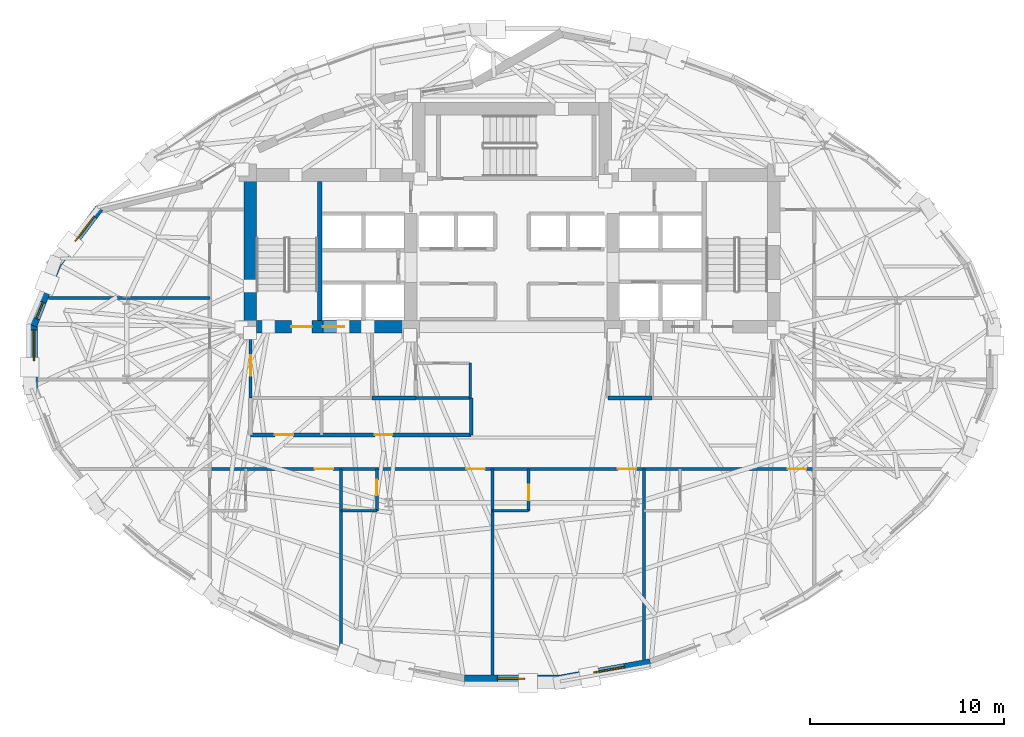
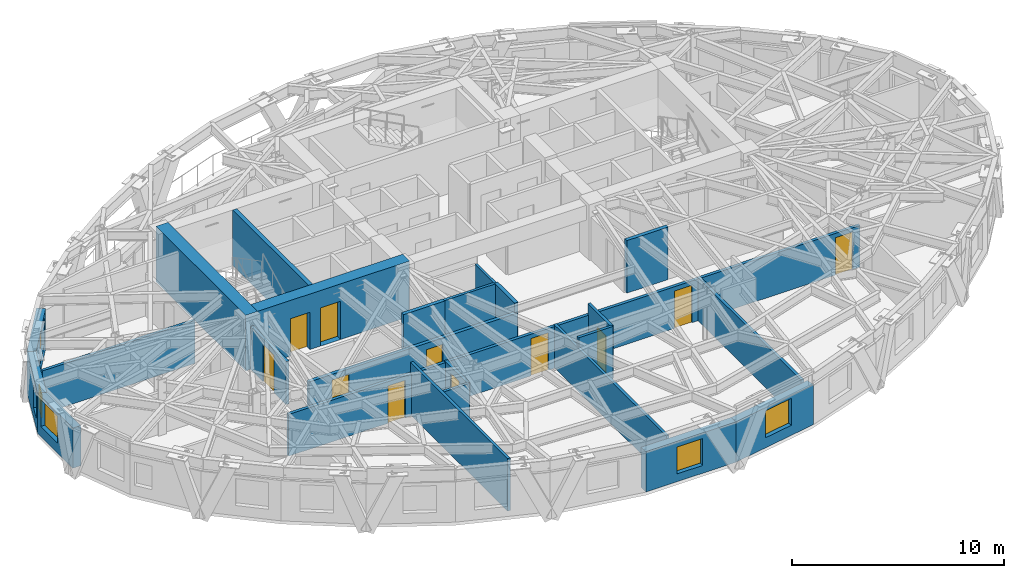
# One storey, part 7 of 14: 24 walls, 11 doors, 5 windows, 16 openings.
"""IFC4 building model written with IfcOpenShell, lengths in metres."""

from ifc_helpers import new_model, si_unit, direction, frame, frame_2d, origin, place, context, subcontext, project, spatial, rectangle, extrude, material, layer, layer_set, type_object, element, fill, save


model = new_model("IFC4")

# Units and contexts
model_context = context("Model", 3, precision=1e-05, world=origin(), true_north=direction((0.0, 1.0)))
body_context = subcontext(model_context, "Body", "Model", "MODEL_VIEW")
ifc_project = project(units=[si_unit("LENGTHUNIT", "METRE"), si_unit("AREAUNIT", "SQUARE_METRE"), si_unit("VOLUMEUNIT", "CUBIC_METRE"), si_unit("PLANEANGLEUNIT", "RADIAN"), si_unit("MASSUNIT", "GRAM", prefix="KILO")], contexts=[model_context])

# Site, building, storey
site_placement = place(None, origin())
site = spatial("IfcSite", under=ifc_project, at=site_placement, CompositionType="ELEMENT")
building_placement = place(site_placement, origin())
building = spatial("IfcBuilding", under=site, at=building_placement, Name="Keldmark Tower", CompositionType="ELEMENT")
storey_placement = place(building_placement, frame((0.0, 0.0, 175.800048828125)))
storey = spatial("IfcBuildingStorey", under=building, at=storey_placement, Name="L48", CompositionType="ELEMENT", Elevation=175.800048828125)

# Wall, openings, doors
ifc_material_1 = material(Name="Heavy Acoustic Plumbing Chase Gypsum Assembly", Category="gypsum")
ifc_layer_1 = layer(ifc_material_1, 0.18994140625)
ifc_layer_set_1 = layer_set([ifc_layer_1], Name="Heavy Acoustic Plumbing Chase Gypsum Assembly")
wall_type_1 = type_object("IfcWallType", Name="Heavy Wet Wall 190 mm", PredefinedType="PLUMBINGWALL", material=ifc_layer_set_1)
wall_1_placement = place(storey_placement, frame((-13.449951171875, -4.050048828125, 0.0), z_axis=(0.0, 0.0, 1.0), x_axis=(1.0, 0.0, 0.0)))
wall_1 = element("IfcWall", 1, at=wall_1_placement, inside=storey, type_object=wall_type_1, Name="L48 Heavy Wet Wall 190 mm SPK-W-S", PredefinedType="PLUMBINGWALL", context=body_context, shape_type="SweptSolid", body=[
    extrude(rectangle(XDim=11.349853515625, YDim=0.18994140625, at=frame_2d((5.6748046875, 0.0))), origin(), (0.0, 0.0, 1.0), 2.472900390625),
])
opening_1_placement = place(wall_1_placement, frame((1.25, 0.0, 0.0)))
opening_1 = element("IfcOpeningElement", 2, at=opening_1_placement, cuts=wall_1, Name="Opening D-AWC95", PredefinedType="OPENING", context=body_context, shape_type="SweptSolid", body=[
    extrude(rectangle(XDim=0.949951171875, YDim=2.14990234375, at=frame_2d((0.47509765625, 1.074951171875))), frame((0.0, 0.10498046875, 0.0), z_axis=(0.0, -1.0, 0.0), x_axis=(1.0, 0.0, 0.0)), (0.0, 0.0, 1.0), 0.2099609375),
])
opening_2_placement = place(wall_1_placement, frame((6.39990234375, 0.0, 0.0)))
opening_2 = element("IfcOpeningElement", 3, at=opening_2_placement, cuts=wall_1, Name="Opening D-IN090", PredefinedType="OPENING", context=body_context, shape_type="SweptSolid", body=[
    extrude(rectangle(XDim=0.89990234375, YDim=2.10009765625, at=frame_2d((0.449951171875, 1.050048828125))), frame((0.0, 0.10498046875, 0.0), z_axis=(0.0, -1.0, 0.0), x_axis=(1.0, 0.0, 0.0)), (0.0, 0.0, 1.0), 0.2099609375),
])
ifc_material_2 = material(Name="Painted Solid-Core Architectural Wood", Category="wood")
door_type_1 = type_object("IfcDoorType", Name="Accessible WC Door 950x2150", OperationType="NOTDEFINED", PredefinedType="DOOR", material=ifc_material_2)
door_1_placement = place(opening_1_placement, origin())
door_1 = element("IfcDoor", 4, at=door_1_placement, inside=storey, type_object=door_type_1, Name="L48 Accessible WC Door 950x2150 D-SPKW1-L48", OperationType="SINGLE_SWING_RIGHT", OverallHeight=2.14990234375, OverallWidth=0.949951171875, PredefinedType="DOOR", context=body_context, shape_type="SweptSolid", body=[
    extrude(rectangle(XDim=0.949951171875, YDim=2.14990234375, at=frame_2d((0.47509765625, 1.074951171875))), frame((0.0, 0.02490234375, 0.0), z_axis=(0.0, -1.0, 0.0), x_axis=(1.0, 0.0, 0.0)), (0.0, 0.0, 1.0), 0.050048828125),
])
fill(opening_1, door_1)
ifc_material_3 = material(Name="Stained American White Oak Veneer", Category="wood")
door_type_2 = type_object("IfcDoorType", Name="Interior Door 900x2100", OperationType="NOTDEFINED", PredefinedType="DOOR", material=ifc_material_3)
door_2_placement = place(opening_2_placement, origin())
door_2 = element("IfcDoor", 5, at=door_2_placement, inside=storey, type_object=door_type_2, Name="L48 Interior Door 900x2100 D-SPKW2-L48", OperationType="SINGLE_SWING_RIGHT", OverallHeight=2.10009765625, OverallWidth=0.89990234375, PredefinedType="DOOR", context=body_context, shape_type="SweptSolid", body=[
    extrude(rectangle(XDim=0.89990234375, YDim=2.10009765625, at=frame_2d((0.449951171875, 1.050048828125))), frame((0.0, 0.02490234375, 0.0), z_axis=(0.0, -1.0, 0.0), x_axis=(1.0, 0.0, 0.0)), (0.0, 0.0, 1.0), 0.050048828125),
])
fill(opening_2, door_2)

# Walls
wall_2_placement = place(storey_placement, frame((-2.10009765625, -4.050048828125, 0.0), z_axis=(0.0, 0.0, 1.0), x_axis=(0.0, 1.0, 0.0)))
element("IfcWall", 6, at=wall_2_placement, inside=storey, type_object=wall_type_1, Name="L48 Heavy Wet Wall 190 mm SPK-W-E", PredefinedType="PLUMBINGWALL", context=body_context, shape_type="SweptSolid", body=[
    extrude(rectangle(XDim=1.900146484375, YDim=0.18994140625, at=frame_2d((0.9501953125, 0.0))), origin(), (0.0, 0.0, 1.0), 3.02001953125),
])
ifc_material_4 = material(Name="Acoustic Gypsum Board Interior Partition", Category="gypsum")
ifc_layer_2 = layer(ifc_material_4, 0.1298828125)
ifc_layer_set_2 = layer_set([ifc_layer_2], Name="Acoustic Gypsum Board Interior Partition")
wall_type_2 = type_object("IfcWallType", Name="Interior Partition 130 mm", PredefinedType="PARTITIONING", material=ifc_layer_set_2)
wall_3_placement = place(storey_placement, frame((-2.14990234375, -2.14990234375, 0.0), z_axis=(0.0, 0.0, 1.0), x_axis=(0.0, 1.0, 0.0)))
element("IfcWall", 7, at=wall_3_placement, inside=storey, type_object=wall_type_2, Name="L48 Interior Partition 130 mm CSC-W-E", PredefinedType="PARTITIONING", context=body_context, shape_type="SweptSolid", body=[
    extrude(rectangle(XDim=1.7998046875, YDim=0.1298828125, at=frame_2d((0.89990234375, 0.0))), origin(), (0.0, 0.0, 1.0), 3.02001953125),
])

# Wall, opening, door
ifc_material_5 = material(Name="Type X Fire-Rated Gypsum Partition Assembly", Category="gypsum")
ifc_layer_3 = layer(ifc_material_5, 0.1650390625)
ifc_layer_set_3 = layer_set([ifc_layer_3], Name="Type X Fire-Rated Gypsum Partition Assembly")
wall_type_3 = type_object("IfcWallType", Name="Rated Partition 165 mm", PredefinedType="PARTITIONING", material=ifc_layer_set_3)
wall_4_placement = place(storey_placement, frame((-13.449951171875, -2.14990234375, 0.0), z_axis=(0.0, 0.0, 1.0), x_axis=(0.0, 1.0, 0.0)))
wall_4 = element("IfcWall", 8, at=wall_4_placement, inside=storey, type_object=wall_type_3, Name="L48 Rated Partition 165 mm FSAE-W-W", PredefinedType="PARTITIONING", context=body_context, shape_type="SweptSolid", body=[
    extrude(rectangle(XDim=3.39990234375, YDim=0.1650390625, at=frame_2d((1.699951171875, 0.0))), origin(), (0.0, 0.0, 1.0), 2.472900390625),
])
opening_3_placement = place(wall_4_placement, frame((1.14990234375, 0.0, 0.0)))
opening_3 = element("IfcOpeningElement", 9, at=opening_3_placement, cuts=wall_4, Name="Opening D-FL105", PredefinedType="OPENING", context=body_context, shape_type="SweptSolid", body=[
    extrude(rectangle(XDim=1.050048828125, YDim=2.14990234375, at=frame_2d((0.52490234375, 1.074951171875))), frame((0.0, 0.092529296875, 0.0), z_axis=(0.0, -1.0, 0.0), x_axis=(1.0, 0.0, 0.0)), (0.0, 0.0, 1.0), 0.18505859375),
])
ifc_material_6 = material(Name="Fire-Rated Mineral-Core Door and Vision Lite", Category="metal")
door_type_3 = type_object("IfcDoorType", Name="Fire Lobby Door 1050x2150", OperationType="NOTDEFINED", PredefinedType="DOOR", material=ifc_material_6)
door_3_placement = place(opening_3_placement, origin())
door_3 = element("IfcDoor", 10, at=door_3_placement, inside=storey, type_object=door_type_3, Name="L48 Fire Lobby Door 1050x2150 D-FSAEW-OUT-L48", OperationType="SINGLE_SWING_LEFT", OverallHeight=2.14990234375, OverallWidth=1.050048828125, PredefinedType="DOOR", context=body_context, shape_type="SweptSolid", body=[
    extrude(rectangle(XDim=1.050048828125, YDim=2.14990234375, at=frame_2d((0.52490234375, 1.074951171875))), frame((0.0, 0.02490234375, 0.0), z_axis=(0.0, -1.0, 0.0), x_axis=(1.0, 0.0, 0.0)), (0.0, 0.0, 1.0), 0.050048828125),
])
fill(opening_3, door_3)

# Wall, openings, doors
wall_5_placement = place(storey_placement, frame((-15.550048828125, -5.800048828125, 0.0), z_axis=(0.0, 0.0, 1.0), x_axis=(1.0, 0.0, 0.0)))
wall_5 = element("IfcWall", 11, at=wall_5_placement, inside=storey, type_object=wall_type_3, Name="L48 Rated Partition 165 mm HCOR-S", PredefinedType="PARTITIONING", context=body_context, shape_type="SweptSolid", body=[
    extrude(rectangle(XDim=31.10009765625, YDim=0.1650390625, at=frame_2d((15.550048828125, 0.0))), origin(), (0.0, 0.0, 1.0), 2.39794921875),
])
opening_4_placement = place(wall_5_placement, frame((5.39990234375, 0.0, 0.0)))
opening_4 = element("IfcOpeningElement", 12, at=opening_4_placement, cuts=wall_5, Name="Opening D-HT095", PredefinedType="OPENING", context=body_context, shape_type="SweptSolid", body=[
    extrude(rectangle(XDim=0.949951171875, YDim=2.14990234375, at=frame_2d((0.47509765625, 1.074951171875))), frame((0.0, 0.092529296875, 0.0), z_axis=(0.0, -1.0, 0.0), x_axis=(1.0, 0.0, 0.0)), (0.0, 0.0, 1.0), 0.18505859375),
])
opening_5_placement = place(wall_5_placement, frame((13.199951171875, 0.0, 0.0)))
opening_5 = element("IfcOpeningElement", 13, at=opening_5_placement, cuts=wall_5, Name="Opening D-HT095", PredefinedType="OPENING", context=body_context, shape_type="SweptSolid", body=[
    extrude(rectangle(XDim=0.949951171875, YDim=2.14990234375, at=frame_2d((0.47509765625, 1.074951171875))), frame((0.0, 0.092529296875, 0.0), z_axis=(0.0, -1.0, 0.0), x_axis=(1.0, 0.0, 0.0)), (0.0, 0.0, 1.0), 0.18505859375),
])
opening_6_placement = place(wall_5_placement, frame((21.0, 0.0, 0.0)))
opening_6 = element("IfcOpeningElement", 14, at=opening_6_placement, cuts=wall_5, Name="Opening D-HT095", PredefinedType="OPENING", context=body_context, shape_type="SweptSolid", body=[
    extrude(rectangle(XDim=0.949951171875, YDim=2.14990234375, at=frame_2d((0.47509765625, 1.074951171875))), frame((0.0, 0.092529296875, 0.0), z_axis=(0.0, -1.0, 0.0), x_axis=(1.0, 0.0, 0.0)), (0.0, 0.0, 1.0), 0.18505859375),
])
opening_7_placement = place(wall_5_placement, frame((29.75, 0.0, 0.0)))
opening_7 = element("IfcOpeningElement", 15, at=opening_7_placement, cuts=wall_5, Name="Opening D-HT095", PredefinedType="OPENING", context=body_context, shape_type="SweptSolid", body=[
    extrude(rectangle(XDim=0.949951171875, YDim=2.14990234375, at=frame_2d((0.47509765625, 1.074951171875))), frame((0.0, 0.092529296875, 0.0), z_axis=(0.0, -1.0, 0.0), x_axis=(1.0, 0.0, 0.0)), (0.0, 0.0, 1.0), 0.18505859375),
])
ifc_material_7 = material(Name="Solid-Core Acoustic White Oak Fire-Rated Assembly", Category="wood")
door_type_4 = type_object("IfcDoorType", Name="Hotel Entry Door 950x2150", OperationType="NOTDEFINED", PredefinedType="DOOR", material=ifc_material_7)
door_4_placement = place(opening_4_placement, origin())
door_4 = element("IfcDoor", 16, at=door_4_placement, inside=storey, type_object=door_type_4, Name="L48 Hotel Entry Door 950x2150 D-HRS1-L48", OperationType="SINGLE_SWING_RIGHT", OverallHeight=2.14990234375, OverallWidth=0.949951171875, PredefinedType="DOOR", context=body_context, shape_type="SweptSolid", body=[
    extrude(rectangle(XDim=0.949951171875, YDim=2.14990234375, at=frame_2d((0.47509765625, 1.074951171875))), frame((0.0, 0.02490234375, 0.0), z_axis=(0.0, -1.0, 0.0), x_axis=(1.0, 0.0, 0.0)), (0.0, 0.0, 1.0), 0.050048828125),
])
fill(opening_4, door_4)
door_5_placement = place(opening_5_placement, origin())
door_5 = element("IfcDoor", 17, at=door_5_placement, inside=storey, type_object=door_type_4, Name="L48 Hotel Entry Door 950x2150 D-HRS2-L48", OperationType="SINGLE_SWING_LEFT", OverallHeight=2.14990234375, OverallWidth=0.949951171875, PredefinedType="DOOR", context=body_context, shape_type="SweptSolid", body=[
    extrude(rectangle(XDim=0.949951171875, YDim=2.14990234375, at=frame_2d((0.47509765625, 1.074951171875))), frame((0.0, 0.02490234375, 0.0), z_axis=(0.0, -1.0, 0.0), x_axis=(1.0, 0.0, 0.0)), (0.0, 0.0, 1.0), 0.050048828125),
])
fill(opening_5, door_5)
door_6_placement = place(opening_6_placement, origin())
door_6 = element("IfcDoor", 18, at=door_6_placement, inside=storey, type_object=door_type_4, Name="L48 Hotel Entry Door 950x2150 D-HRS3-L48", OperationType="SINGLE_SWING_RIGHT", OverallHeight=2.14990234375, OverallWidth=0.949951171875, PredefinedType="DOOR", context=body_context, shape_type="SweptSolid", body=[
    extrude(rectangle(XDim=0.949951171875, YDim=2.14990234375, at=frame_2d((0.47509765625, 1.074951171875))), frame((0.0, 0.02490234375, 0.0), z_axis=(0.0, -1.0, 0.0), x_axis=(1.0, 0.0, 0.0)), (0.0, 0.0, 1.0), 0.050048828125),
])
fill(opening_6, door_6)
door_7_placement = place(opening_7_placement, origin())
door_7 = element("IfcDoor", 19, at=door_7_placement, inside=storey, type_object=door_type_4, Name="L48 Hotel Entry Door 950x2150 D-HRS4-L48", OperationType="SINGLE_SWING_LEFT", OverallHeight=2.14990234375, OverallWidth=0.949951171875, PredefinedType="DOOR", context=body_context, shape_type="SweptSolid", body=[
    extrude(rectangle(XDim=0.949951171875, YDim=2.14990234375, at=frame_2d((0.47509765625, 1.074951171875))), frame((0.0, 0.02490234375, 0.0), z_axis=(0.0, -1.0, 0.0), x_axis=(1.0, 0.0, 0.0)), (0.0, 0.0, 1.0), 0.050048828125),
])
fill(opening_7, door_7)

# Walls
ifc_material_8 = material(Name="Fire-Resistant Type X Gypsum Shaftliner Coreboard", Category="gypsum")
ifc_layer_4 = layer(ifc_material_8, 0.199951171875)
ifc_layer_set_4 = layer_set([ifc_layer_4], Name="Fire-Resistant Type X Gypsum Shaftliner Coreboard")
wall_type_4 = type_object("IfcWallType", Name="Shaft Wall 200 mm", PredefinedType="SOLIDWALL", material=ifc_layer_set_4)
for number, where, z_axis, x_axis, name in (
    (20, (-7.199951171875, -2.14990234375, 0.0), (0.0, 0.0, 1.0), (1.0, 0.0, 0.0), "L48 Shaft Wall 200 mm RIS-SW-S"),
    (21, (4.949951171875, -2.14990234375, 0.0), (0.0, 0.0, 1.0), (1.0, 0.0, 0.0), "L48 Shaft Wall 200 mm RIS-SE-S"),
):
    element("IfcWall", number, at=place(storey_placement, frame(where, z_axis=z_axis, x_axis=x_axis)), inside=storey, type_object=wall_type_4, Name=name, PredefinedType="SOLIDWALL", context=body_context, shape_type="SweptSolid", body=[
        extrude(rectangle(XDim=2.25, YDim=0.199951171875, at=frame_2d((1.125, 0.0))), origin(), (0.0, 0.0, 1.0), 3.02001953125),
    ])
ifc_material_9 = material(Name="Concrete C50/60", Category="concrete")
ifc_layer_5 = layer(ifc_material_9, 0.219970703125)
ifc_layer_set_5 = layer_set([ifc_layer_5], Name="Concrete C50/60")
wall_type_5 = type_object("IfcWallType", Name="Stair Core Shear Wall 220 mm", PredefinedType="SHEAR", material=ifc_layer_set_5)
wall_6_placement = place(storey_placement, frame((-9.889892578125, 1.85009765625, 0.0), z_axis=(0.0, 0.0, 1.0), x_axis=(0.0, 1.0, 0.0)))
element("IfcWall", 22, at=wall_6_placement, inside=storey, type_object=wall_type_5, Name="L48 West Stair Core Shear Wall", PredefinedType="SHEAR", context=body_context, shape_type="SweptSolid", body=[
    extrude(rectangle(XDim=7.14990234375, YDim=0.219970703125, at=frame_2d((3.574951171875, 0.0))), origin(), (0.0, 0.0, 1.0), 3.199951171875),
])

# Wall, opening, window
ifc_material_10 = material(Name="Ironspot Manganese Brick and Kasota Buff Limestone Spandrel Assembly", Category="masonry")
ifc_layer_6 = layer(ifc_material_10, 0.43994140625)
ifc_layer_set_6 = layer_set([ifc_layer_6], Name="Ironspot Manganese Brick and Kasota Buff Limestone Spandrel Assembly")
wall_type_6 = type_object("IfcWallType", Name="Tower Brick Pier and Spandrel Wall 440 mm", PredefinedType="STANDARD", material=ifc_layer_set_6)
wall_7_placement = place(storey_placement, frame((-23.426513671875, 4.720458984375, 0.0), z_axis=(0.0, 0.0, 1.0), x_axis=(0.604517065871, 0.796592189939, 0.0)))
wall_7 = element("IfcWall", 23, at=wall_7_placement, inside=storey, type_object=wall_type_6, Name="L48 Exterior Brick and Spandrel Wall 14", PredefinedType="STANDARD", context=body_context, shape_type="SweptSolid", body=[
    extrude(rectangle(XDim=3.6416015625, YDim=0.43994140625, at=frame_2d((1.82080078125, 0.0))), origin(), (0.0, 0.0, 1.0), 2.31494140625),
])
opening_8_placement = place(wall_7_placement, frame((1.543212890625, 0.0, 0.580078125)))
opening_8 = element("IfcOpeningElement", 24, at=opening_8_placement, cuts=wall_7, Name="Opening W-04", PredefinedType="OPENING", context=body_context, shape_type="SweptSolid", body=[
    extrude(rectangle(XDim=1.60009765625, YDim=1.550048828125, at=frame_2d((0.800048828125, 0.77490234375))), frame((0.0, 0.22998046875, 0.0), z_axis=(0.0, -1.0, 0.0), x_axis=(1.0, 0.0, 0.0)), (0.0, 0.0, 1.0), 0.4599609375),
])
ifc_material_11 = material(Name="Thermally Broken Anodized Aluminum and Triple Low-E Argon Glazing", Category="aluminium")
window_type_1 = type_object("IfcWindowType", Name="Hotel Deep-Set Operable Window 1600x1550", PartitioningType="DOUBLE_PANEL_HORIZONTAL", PredefinedType="WINDOW", material=ifc_material_11)
window_1_placement = place(opening_8_placement, origin())
window_1 = element("IfcWindow", 25, at=window_1_placement, inside=storey, type_object=window_type_1, Name="L48 Deep-Set Window 14", OverallHeight=1.550048828125, OverallWidth=1.60009765625, PartitioningType="SINGLE_PANEL", PredefinedType="WINDOW", context=body_context, shape_type="SweptSolid", body=[
    extrude(rectangle(XDim=1.60009765625, YDim=1.550048828125, at=frame_2d((0.800048828125, 0.77490234375))), frame((0.0, -0.010009765625, 0.0), z_axis=(0.0, -1.0, 0.0), x_axis=(1.0, 0.0, 0.0)), (0.0, 0.0, 1.0), 0.06005859375),
])
fill(opening_8, window_1)

wall_8_placement = place(storey_placement, frame((-24.65087890625, 1.5791015625, 0.0), z_axis=(0.0, 0.0, 1.0), x_axis=(0.365421225195, 0.930842268151, 0.0)))
wall_8 = element("IfcWall", 26, at=wall_8_placement, inside=storey, type_object=wall_type_6, Name="L48 Exterior Brick and Spandrel Wall 15", PredefinedType="STANDARD", context=body_context, shape_type="SweptSolid", body=[
    extrude(rectangle(XDim=3.431396484375, YDim=0.43994140625, at=frame_2d((1.7158203125, 0.0))), origin(), (0.0, 0.0, 1.0), 2.31494140625),
])
opening_9_placement = place(wall_8_placement, frame((0.398193359375, 0.0, 0.580078125)))
opening_9 = element("IfcOpeningElement", 27, at=opening_9_placement, cuts=wall_8, Name="Opening W-09", PredefinedType="OPENING", context=body_context, shape_type="SweptSolid", body=[
    extrude(rectangle(XDim=0.89990234375, YDim=1.35009765625, at=frame_2d((0.449951171875, 0.675048828125))), frame((0.0, 0.22998046875, 0.0), z_axis=(0.0, -1.0, 0.0), x_axis=(1.0, 0.0, 0.0)), (0.0, 0.0, 1.0), 0.4599609375),
])
ifc_material_12 = material(Name="Thermally Broken Anodized Aluminum and Triple Low-E Argon Glazing", Category="aluminium")
window_type_2 = type_object("IfcWindowType", Name="Corner Pier Deep-Set Window 900x1350", PartitioningType="SINGLE_PANEL", PredefinedType="WINDOW", material=ifc_material_12)
window_2_placement = place(opening_9_placement, origin())
window_2 = element("IfcWindow", 28, at=window_2_placement, inside=storey, type_object=window_type_2, Name="L48 Deep-Set Window 15", OverallHeight=1.35009765625, OverallWidth=0.89990234375, PartitioningType="SINGLE_PANEL", PredefinedType="WINDOW", context=body_context, shape_type="SweptSolid", body=[
    extrude(rectangle(XDim=0.89990234375, YDim=1.35009765625, at=frame_2d((0.449951171875, 0.675048828125))), frame((0.0, -0.010009765625, 0.0), z_axis=(0.0, -1.0, 0.0), x_axis=(1.0, 0.0, 0.0)), (0.0, 0.0, 1.0), 0.06005859375),
])
fill(opening_9, window_2)

wall_9_placement = place(storey_placement, frame((-24.635498046875, -1.659423828125, 0.0), z_axis=(0.0, 0.0, 1.0), x_axis=(0.0, 1.0, 0.0)))
wall_9 = element("IfcWall", 29, at=wall_9_placement, inside=storey, type_object=wall_type_6, Name="L48 Exterior Brick and Spandrel Wall 16", PredefinedType="STANDARD", context=body_context, shape_type="SweptSolid", body=[
    extrude(rectangle(XDim=3.31884765625, YDim=0.43994140625, at=frame_2d((1.659423828125, 0.0))), origin(), (0.0, 0.0, 1.0), 2.31494140625),
])
opening_10_placement = place(wall_9_placement, frame((1.42138671875, 0.0, 0.580078125)))
opening_10 = element("IfcOpeningElement", 30, at=opening_10_placement, cuts=wall_9, Name="Opening W-04", PredefinedType="OPENING", context=body_context, shape_type="SweptSolid", body=[
    extrude(rectangle(XDim=1.60009765625, YDim=1.550048828125, at=frame_2d((0.800048828125, 0.77490234375))), frame((0.0, 0.22998046875, 0.0), z_axis=(0.0, -1.0, 0.0), x_axis=(1.0, 0.0, 0.0)), (0.0, 0.0, 1.0), 0.4599609375),
])
window_3_placement = place(opening_10_placement, origin())
window_3 = element("IfcWindow", 31, at=window_3_placement, inside=storey, type_object=window_type_1, Name="L48 Deep-Set Window 16", OverallHeight=1.550048828125, OverallWidth=1.60009765625, PartitioningType="SINGLE_PANEL", PredefinedType="WINDOW", context=body_context, shape_type="SweptSolid", body=[
    extrude(rectangle(XDim=1.60009765625, YDim=1.550048828125, at=frame_2d((0.800048828125, 0.77490234375))), frame((0.0, -0.010009765625, 0.0), z_axis=(0.0, -1.0, 0.0), x_axis=(1.0, 0.0, 0.0)), (0.0, 0.0, 1.0), 0.06005859375),
])
fill(opening_10, window_3)

wall_10_placement = place(storey_placement, frame((2.447998046875, -16.629638671875, 0.0), z_axis=(0.0, 0.0, 1.0), x_axis=(-1.0, 0.0, 0.0)))
wall_10 = element("IfcWall", 32, at=wall_10_placement, inside=storey, type_object=wall_type_6, Name="L48 Exterior Brick and Spandrel Wall 24", PredefinedType="STANDARD", context=body_context, shape_type="SweptSolid", body=[
    extrude(rectangle(XDim=4.89599609375, YDim=0.43994140625, at=frame_2d((2.447998046875, 0.0))), origin(), (0.0, 0.0, 1.0), 2.31494140625),
])
opening_11_placement = place(wall_10_placement, frame((1.798095703125, 0.0, 0.449951171875)))
opening_11 = element("IfcOpeningElement", 33, at=opening_11_placement, cuts=wall_10, Name="Opening W-08", PredefinedType="OPENING", context=body_context, shape_type="SweptSolid", body=[
    extrude(rectangle(XDim=1.39990234375, YDim=1.550048828125, at=frame_2d((0.699951171875, 0.77490234375))), frame((0.0, 0.22998046875, 0.0), z_axis=(0.0, -1.0, 0.0), x_axis=(1.0, 0.0, 0.0)), (0.0, 0.0, 1.0), 0.4599609375),
])
ifc_material_13 = material(Name="Thermally Broken Anodized Aluminum and Triple Low-E Argon Glazing", Category="aluminium")
window_type_3 = type_object("IfcWindowType", Name="Residential Corner Punched Window 1400x1550", PartitioningType="SINGLE_PANEL", PredefinedType="WINDOW", material=ifc_material_13)
window_4_placement = place(opening_11_placement, origin())
window_4 = element("IfcWindow", 34, at=window_4_placement, inside=storey, type_object=window_type_3, Name="L48 Deep-Set Window 24", OverallHeight=1.550048828125, OverallWidth=1.39990234375, PartitioningType="SINGLE_PANEL", PredefinedType="WINDOW", context=body_context, shape_type="SweptSolid", body=[
    extrude(rectangle(XDim=1.39990234375, YDim=1.550048828125, at=frame_2d((0.699951171875, 0.77490234375))), frame((0.0, -0.010009765625, 0.0), z_axis=(0.0, -1.0, 0.0), x_axis=(1.0, 0.0, 0.0)), (0.0, 0.0, 1.0), 0.06005859375),
])
fill(opening_11, window_4)

wall_11_placement = place(storey_placement, frame((7.120361328125, -15.783203125, 0.0), z_axis=(0.0, 0.0, 1.0), x_axis=(-0.984108907768, -0.177565924803, 0.0)))
wall_11 = element("IfcWall", 35, at=wall_11_placement, inside=storey, type_object=wall_type_6, Name="L48 Exterior Brick and Spandrel Wall 25", PredefinedType="STANDARD", context=body_context, shape_type="SweptSolid", body=[
    extrude(rectangle(XDim=4.78759765625, YDim=0.43994140625, at=frame_2d((2.393798828125, 0.0))), origin(), (0.0, 0.0, 1.0), 2.31494140625),
])
opening_12_placement = place(wall_11_placement, frame((1.3447265625, 0.0, 0.580078125)))
opening_12 = element("IfcOpeningElement", 36, at=opening_12_placement, cuts=wall_11, Name="Opening W-04", PredefinedType="OPENING", context=body_context, shape_type="SweptSolid", body=[
    extrude(rectangle(XDim=1.60009765625, YDim=1.550048828125, at=frame_2d((0.800048828125, 0.77490234375))), frame((0.0, 0.22998046875, 0.0), z_axis=(0.0, -1.0, 0.0), x_axis=(1.0, 0.0, 0.0)), (0.0, 0.0, 1.0), 0.4599609375),
])
window_5_placement = place(opening_12_placement, origin())
window_5 = element("IfcWindow", 37, at=window_5_placement, inside=storey, type_object=window_type_1, Name="L48 Deep-Set Window 25", OverallHeight=1.550048828125, OverallWidth=1.60009765625, PartitioningType="SINGLE_PANEL", PredefinedType="WINDOW", context=body_context, shape_type="SweptSolid", body=[
    extrude(rectangle(XDim=1.60009765625, YDim=1.550048828125, at=frame_2d((0.800048828125, 0.77490234375))), frame((0.0, -0.010009765625, 0.0), z_axis=(0.0, -1.0, 0.0), x_axis=(1.0, 0.0, 0.0)), (0.0, 0.0, 1.0), 0.06005859375),
])
fill(opening_12, window_5)

# Wall
ifc_material_14 = material(Name="Concrete C50/60", Category="concrete")
ifc_layer_7 = layer(ifc_material_14, 0.64990234375)
ifc_layer_set_7 = layer_set([ifc_layer_7], Name="Concrete C50/60")
wall_type_7 = type_object("IfcWallType", Name="Upper-Mid Core Shear Wall 650 mm", PredefinedType="SHEAR", material=ifc_layer_set_7)
wall_12_placement = place(storey_placement, frame((-13.47509765625, 1.199951171875, 0.0), z_axis=(0.0, 0.0, 1.0), x_axis=(0.0, 1.0, 0.0)))
element("IfcWall", 38, at=wall_12_placement, inside=storey, type_object=wall_type_7, Name="L48 West Core Outer Shear Wall", PredefinedType="SHEAR", context=body_context, shape_type="SweptSolid", body=[
    extrude(rectangle(XDim=8.449951171875, YDim=0.64990234375, at=frame_2d((4.22509765625, 0.0))), origin(), (0.0, 0.0, 1.0), 3.199951171875),
])

# Wall, openings, doors
wall_13_placement = place(storey_placement, frame((-4.875, 1.52490234375, 0.0), z_axis=(0.0, 0.0, 1.0), x_axis=(-1.0, 0.0, 0.0)))
wall_13 = element("IfcWall", 39, at=wall_13_placement, inside=storey, type_object=wall_type_7, Name="L48 West Core South Shear Wall", PredefinedType="SHEAR", context=body_context, shape_type="SweptSolid", body=[
    extrude(rectangle(XDim=8.925048828125, YDim=0.64990234375, at=frame_2d((4.46240234375, 0.0))), origin(), (0.0, 0.0, 1.0), 3.199951171875),
])
opening_13_placement = place(wall_13_placement, frame((5.425048828125, 0.0, 0.0)))
opening_13 = element("IfcOpeningElement", 40, at=opening_13_placement, cuts=wall_13, Name="Opening D-ST105", PredefinedType="OPENING", context=body_context, shape_type="SweptSolid", body=[
    extrude(rectangle(XDim=1.050048828125, YDim=2.14990234375, at=frame_2d((0.52490234375, 1.074951171875))), frame((0.0, 0.3349609375, 0.0), z_axis=(0.0, -1.0, 0.0), x_axis=(1.0, 0.0, 0.0)), (0.0, 0.0, 1.0), 0.669921875),
])
opening_14_placement = place(wall_13_placement, frame((3.7548828125, 0.0, 0.0)))
opening_14 = element("IfcOpeningElement", 41, at=opening_14_placement, cuts=wall_13, Name="Opening LD-110", PredefinedType="OPENING", context=body_context, shape_type="SweptSolid", body=[
    extrude(rectangle(XDim=1.10009765625, YDim=2.199951171875, at=frame_2d((0.550048828125, 1.10009765625))), frame((0.0, 0.3349609375, 0.0), z_axis=(0.0, -1.0, 0.0), x_axis=(1.0, 0.0, 0.0)), (0.0, 0.0, 1.0), 0.669921875),
])
ifc_material_15 = material(Name="Brushed Bronze Hoistway Sliding Leaf", Category="metal")
door_type_5 = type_object("IfcDoorType", Name="Lift Landing Sliding Door 1100x2200", OperationType="SLIDING_TO_LEFT", PredefinedType="DOOR", material=ifc_material_15)
door_8_placement = place(opening_14_placement, origin())
door_8 = element("IfcDoor", 42, at=door_8_placement, inside=storey, type_object=door_type_5, Name="L48 Lift Landing Sliding Door 1100x2200 LD-EL-FS1-L48", OperationType="SLIDING_TO_LEFT", OverallHeight=2.199951171875, OverallWidth=1.10009765625, PredefinedType="DOOR", context=body_context, shape_type="SweptSolid", body=[
    extrude(rectangle(XDim=1.10009765625, YDim=2.199951171875, at=frame_2d((0.550048828125, 1.10009765625))), frame((0.0, 0.02490234375, 0.0), z_axis=(0.0, -1.0, 0.0), x_axis=(1.0, 0.0, 0.0)), (0.0, 0.0, 1.0), 0.050048828125),
])
fill(opening_14, door_8)
ifc_material_16 = material(Name="Hollow Metal Fire-Rated Door Assembly", Category="metal")
door_type_6 = type_object("IfcDoorType", Name="Stair Fire Door 1050x2150", OperationType="NOTDEFINED", PredefinedType="DOOR", material=ifc_material_16)
door_9_placement = place(opening_13_placement, origin())
door_9 = element("IfcDoor", 43, at=door_9_placement, inside=storey, type_object=door_type_6, Name="L48 Stair Fire Door 1050x2150 D-ST1-L48", OperationType="SINGLE_SWING_RIGHT", OverallHeight=2.14990234375, OverallWidth=1.050048828125, PredefinedType="DOOR", context=body_context, shape_type="SweptSolid", body=[
    extrude(rectangle(XDim=1.050048828125, YDim=2.14990234375, at=frame_2d((0.52490234375, 1.074951171875))), frame((0.0, 0.02490234375, 0.0), z_axis=(0.0, -1.0, 0.0), x_axis=(1.0, 0.0, 0.0)), (0.0, 0.0, 1.0), 0.050048828125),
])
fill(opening_13, door_9)

# Walls
ifc_material_17 = material(Name="Moisture-Resistant Gypsum Plumbing Partition", Category="gypsum")
ifc_layer_8 = layer(ifc_material_17, 0.14990234375)
ifc_layer_set_8 = layer_set([ifc_layer_8], Name="Moisture-Resistant Gypsum Plumbing Partition")
wall_type_8 = type_object("IfcWallType", Name="Wet Wall 150 mm", PredefinedType="PLUMBINGWALL", material=ifc_layer_set_8)
wall_14_placement = place(storey_placement, frame((-4.949951171875, -2.14990234375, 0.0), z_axis=(0.0, 0.0, 1.0), x_axis=(1.0, 0.0, 0.0)))
element("IfcWall", 44, at=wall_14_placement, inside=storey, type_object=wall_type_8, Name="L48 Wet Wall 150 mm SPK-W-N", PredefinedType="PLUMBINGWALL", context=body_context, shape_type="SweptSolid", body=[
    extrude(rectangle(XDim=2.849853515625, YDim=0.14990234375, at=frame_2d((1.4248046875, 0.0))), origin(), (0.0, 0.0, 1.0), 3.02001953125),
])
wall_15_placement = place(storey_placement, frame((-8.800048828125, -14.953125, 0.0), z_axis=(0.0, 0.0, 1.0), x_axis=(0.0, 1.0, 0.0)))
element("IfcWall", 45, at=wall_15_placement, inside=storey, type_object=wall_type_8, Name="L48 Wet Wall 150 mm HS-DIV-1", PredefinedType="PLUMBINGWALL", context=body_context, shape_type="SweptSolid", body=[
    extrude(rectangle(XDim=9.153076171875, YDim=0.14990234375, at=frame_2d((4.57666015625, 0.0))), origin(), (0.0, 0.0, 1.0), 3.02001953125),
])
wall_16_placement = place(storey_placement, frame((-1.0, -16.401611328125, 0.0), z_axis=(0.0, 0.0, 1.0), x_axis=(0.0, 1.0, 0.0)))
element("IfcWall", 46, at=wall_16_placement, inside=storey, type_object=wall_type_8, Name="L48 Wet Wall 150 mm HS-DIV-2", PredefinedType="PLUMBINGWALL", context=body_context, shape_type="SweptSolid", body=[
    extrude(rectangle(XDim=10.6015625, YDim=0.14990234375, at=frame_2d((5.30078125, 0.0))), origin(), (0.0, 0.0, 1.0), 2.472900390625),
])
wall_17_placement = place(storey_placement, frame((6.800048828125, -15.609375, 0.0), z_axis=(0.0, 0.0, 1.0), x_axis=(0.0, 1.0, 0.0)))
element("IfcWall", 47, at=wall_17_placement, inside=storey, type_object=wall_type_8, Name="L48 Wet Wall 150 mm HS-DIV-3", PredefinedType="PLUMBINGWALL", context=body_context, shape_type="SweptSolid", body=[
    extrude(rectangle(XDim=9.809326171875, YDim=0.14990234375, at=frame_2d((4.90478515625, 0.0))), origin(), (0.0, 0.0, 1.0), 2.472900390625),
])

# Wall, opening, door
wall_18_placement = place(storey_placement, frame((-6.949951171875, -7.949951171875, 0.0), z_axis=(0.0, 0.0, 1.0), x_axis=(0.0, 1.0, 0.0)))
wall_18 = element("IfcWall", 48, at=wall_18_placement, inside=storey, type_object=wall_type_8, Name="L48 Wet Wall 150 mm HB-S2-E", PredefinedType="PLUMBINGWALL", context=body_context, shape_type="SweptSolid", body=[
    extrude(rectangle(XDim=2.14990234375, YDim=0.14990234375, at=frame_2d((1.074951171875, 0.0))), origin(), (0.0, 0.0, 1.0), 2.472900390625),
])
opening_15_placement = place(wall_18_placement, frame((0.7900390625, 0.0, 0.0)))
opening_15 = element("IfcOpeningElement", 49, at=opening_15_placement, cuts=wall_18, Name="Opening D-BT080", PredefinedType="OPENING", context=body_context, shape_type="SweptSolid", body=[
    extrude(rectangle(XDim=0.800048828125, YDim=2.10009765625, at=frame_2d((0.39990234375, 1.050048828125))), frame((0.0, 0.0849609375, 0.0), z_axis=(0.0, -1.0, 0.0), x_axis=(1.0, 0.0, 0.0)), (0.0, 0.0, 1.0), 0.169921875),
])
ifc_material_18 = material(Name="Moisture-Sealed Stained Wood", Category="wood")
door_type_7 = type_object("IfcDoorType", Name="Bathroom Door 800x2100", OperationType="NOTDEFINED", PredefinedType="DOOR", material=ifc_material_18)
door_10_placement = place(opening_15_placement, origin())
door_10 = element("IfcDoor", 50, at=door_10_placement, inside=storey, type_object=door_type_7, Name="L48 Bathroom Door 800x2100 D-HBS2-L48", OperationType="SINGLE_SWING_RIGHT", OverallHeight=2.10009765625, OverallWidth=0.800048828125, PredefinedType="DOOR", context=body_context, shape_type="SweptSolid", body=[
    extrude(rectangle(XDim=0.800048828125, YDim=2.10009765625, at=frame_2d((0.39990234375, 1.050048828125))), frame((0.0, 0.02490234375, 0.0), z_axis=(0.0, -1.0, 0.0), x_axis=(1.0, 0.0, 0.0)), (0.0, 0.0, 1.0), 0.050048828125),
])
fill(opening_15, door_10)

# Wall
wall_19_placement = place(storey_placement, frame((-8.800048828125, -7.949951171875, 0.0), z_axis=(0.0, 0.0, 1.0), x_axis=(1.0, 0.0, 0.0)))
element("IfcWall", 51, at=wall_19_placement, inside=storey, type_object=wall_type_8, Name="L48 Wet Wall 150 mm HB-S2-S", PredefinedType="PLUMBINGWALL", context=body_context, shape_type="SweptSolid", body=[
    extrude(rectangle(XDim=1.85009765625, YDim=0.14990234375, at=frame_2d((0.925048828125, 0.0))), origin(), (0.0, 0.0, 1.0), 2.472900390625),
])

# Wall, opening, door
wall_20_placement = place(storey_placement, frame((0.85009765625, -7.949951171875, 0.0), z_axis=(0.0, 0.0, 1.0), x_axis=(0.0, 1.0, 0.0)))
wall_20 = element("IfcWall", 52, at=wall_20_placement, inside=storey, type_object=wall_type_8, Name="L48 Wet Wall 150 mm HB-S3-E", PredefinedType="PLUMBINGWALL", context=body_context, shape_type="SweptSolid", body=[
    extrude(rectangle(XDim=2.14990234375, YDim=0.14990234375, at=frame_2d((1.074951171875, 0.0))), origin(), (0.0, 0.0, 1.0), 3.02001953125),
])
opening_16_placement = place(wall_20_placement, frame((0.550048828125, 0.0, 0.0)))
opening_16 = element("IfcOpeningElement", 53, at=opening_16_placement, cuts=wall_20, Name="Opening D-BT080", PredefinedType="OPENING", context=body_context, shape_type="SweptSolid", body=[
    extrude(rectangle(XDim=0.800048828125, YDim=2.10009765625, at=frame_2d((0.39990234375, 1.050048828125))), frame((0.0, 0.0849609375, 0.0), z_axis=(0.0, -1.0, 0.0), x_axis=(1.0, 0.0, 0.0)), (0.0, 0.0, 1.0), 0.169921875),
])
door_11_placement = place(opening_16_placement, origin())
door_11 = element("IfcDoor", 54, at=door_11_placement, inside=storey, type_object=door_type_7, Name="L48 Bathroom Door 800x2100 D-HBS3-L48", OperationType="SINGLE_SWING_RIGHT", OverallHeight=2.10009765625, OverallWidth=0.800048828125, PredefinedType="DOOR", context=body_context, shape_type="SweptSolid", body=[
    extrude(rectangle(XDim=0.800048828125, YDim=2.10009765625, at=frame_2d((0.39990234375, 1.050048828125))), frame((0.0, 0.02490234375, 0.0), z_axis=(0.0, -1.0, 0.0), x_axis=(1.0, 0.0, 0.0)), (0.0, 0.0, 1.0), 0.050048828125),
])
fill(opening_16, door_11)

# Walls
wall_21_placement = place(storey_placement, frame((-1.0, -7.949951171875, 0.0), z_axis=(0.0, 0.0, 1.0), x_axis=(1.0, 0.0, 0.0)))
element("IfcWall", 55, at=wall_21_placement, inside=storey, type_object=wall_type_8, Name="L48 Wet Wall 150 mm HB-S3-S", PredefinedType="PLUMBINGWALL", context=body_context, shape_type="SweptSolid", body=[
    extrude(rectangle(XDim=1.85009765625, YDim=0.14990234375, at=frame_2d((0.925048828125, 0.0))), origin(), (0.0, 0.0, 1.0), 3.02001953125),
])
wall_22_placement = place(storey_placement, frame((-23.84814453125, 3.0, 0.0), z_axis=(0.0, 0.0, 1.0), x_axis=(1.0, 0.0, 0.0)))
element("IfcWall", 56, at=wall_22_placement, inside=storey, type_object=wall_type_8, Name="L48 Wet Wall 150 mm HW-DIV-2", PredefinedType="PLUMBINGWALL", context=body_context, shape_type="SweptSolid", body=[
    extrude(rectangle(XDim=8.298095703125, YDim=0.14990234375, at=frame_2d((4.14892578125, 0.0))), origin(), (0.0, 0.0, 1.0), 2.472900390625),
])

save(model, "model.ifc")
